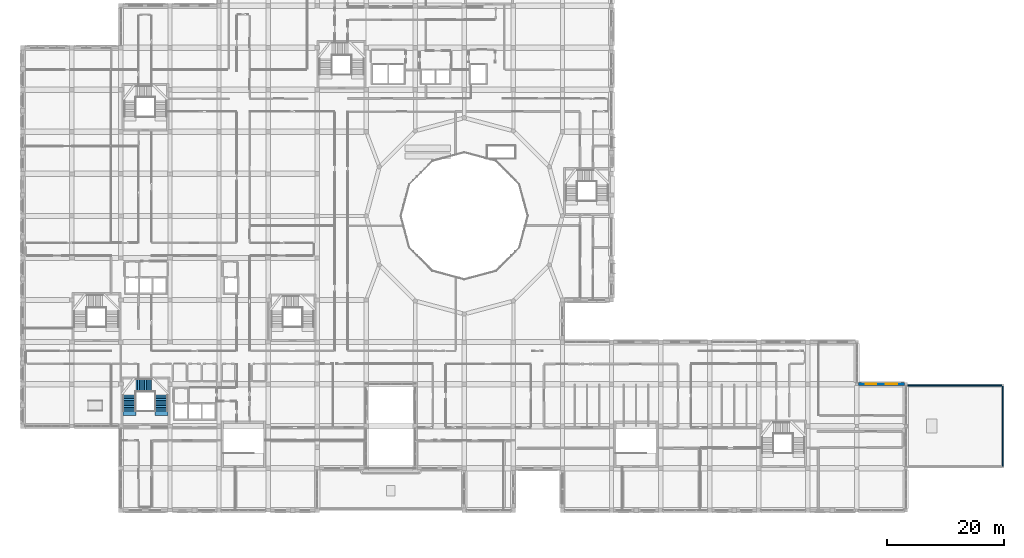
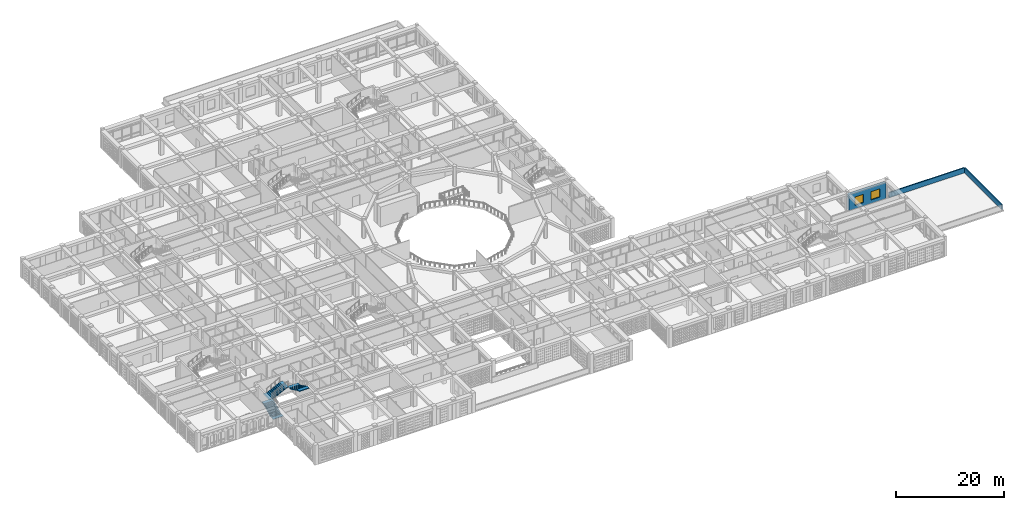
# One storey, part 72 of 111: 3 stair flights, 3 walls, 2 windows, 2 openings, 1 element without a shape of its own.
"""IFC4 building model written with IfcOpenShell, lengths in metres."""

from ifc_helpers import new_model, si_unit, derived_unit, direction, frame, frame_2d, origin, place, context, subcontext, project, spatial, polyline, rectangle, outline, extrude, material, layer, layer_set, type_object, element, fill, aggregate, save


model = new_model("IFC4")

# Units and contexts
model_context = context("Model", 3, precision=1e-05, world=origin(), true_north=direction((0.0, 1.0)))
body_context = subcontext(model_context, "Body", "Model", "MODEL_VIEW")
ifc_project = project(units=[si_unit("LENGTHUNIT", "METRE"), si_unit("AREAUNIT", "SQUARE_METRE"), si_unit("VOLUMEUNIT", "CUBIC_METRE"), si_unit("PLANEANGLEUNIT", "RADIAN"), si_unit("MASSUNIT", "GRAM", prefix="KILO"), derived_unit("THERMALTRANSMITTANCEUNIT", [(si_unit("POWERUNIT", "WATT"), 1), (si_unit("LENGTHUNIT", "METRE"), -2), (si_unit("THERMODYNAMICTEMPERATUREUNIT", "KELVIN"), -1)])], contexts=[model_context])

# Site, building, storey
site_placement = place(None, origin())
site = spatial("IfcSite", under=ifc_project, at=site_placement, CompositionType="ELEMENT")
building_placement = place(site_placement, origin())
building = spatial("IfcBuilding", under=site, at=building_placement, Name="Veybourne Emporium", CompositionType="ELEMENT")
storey_placement = place(building_placement, frame((0.0, 0.0, 9.89990234375)))
storey = spatial("IfcBuildingStorey", under=building, at=storey_placement, Name="L02", CompositionType="ELEMENT", Elevation=9.89990234375)

# Wall, openings, windows
ifc_material_1 = material(Name="Portland Limestone Ashlar", Category="masonry")
ifc_layer_1 = layer(ifc_material_1, 0.47998046875)
ifc_layer_set_1 = layer_set([ifc_layer_1], Name="Portland Limestone Ashlar")
wall_type_1 = type_object("IfcWallType", Name="ExtWall_EW-01", PredefinedType="SOLIDWALL", material=ifc_layer_set_1)
wall_1_placement = place(storey_placement, frame((143.050048828125, 21.60009765625, 0.0), z_axis=(0.0, 0.0, 1.0), x_axis=(1.0, 0.0, 0.0)))
wall_1 = element("IfcWall", 1, at=wall_1_placement, inside=storey, type_object=wall_type_1, Name="L02 Portland stone external wall 076", PredefinedType="SOLIDWALL", context=body_context, shape_type="SweptSolid", body=[
    extrude(rectangle(XDim=7.875, YDim=0.47998046875, at=frame_2d((3.9375, 0.0))), origin(), (0.0, 0.0, 1.0), 3.630126953125),
])
opening_1_placement = place(wall_1_placement, frame((1.304931640625, 0.0, 0.75)))
opening_1 = element("IfcOpeningElement", 2, at=opening_1_placement, cuts=wall_1, Name="Opening W-04", PredefinedType="OPENING", context=body_context, shape_type="SweptSolid", body=[
    extrude(rectangle(XDim=1.800048828125, YDim=1.89990234375, at=frame_2d((0.89990234375, 0.949951171875))), frame((0.0, 0.260009765625, 0.0), z_axis=(0.0, -1.0, 0.0), x_axis=(1.0, 0.0, 0.0)), (0.0, 0.0, 1.0), 0.52001953125),
])
opening_2_placement = place(wall_1_placement, frame((4.669921875, 0.0, 0.75)))
opening_2 = element("IfcOpeningElement", 3, at=opening_2_placement, cuts=wall_1, Name="Opening W-05", PredefinedType="OPENING", context=body_context, shape_type="SweptSolid", body=[
    extrude(rectangle(XDim=2.0, YDim=1.89990234375, at=frame_2d((1.0, 0.949951171875))), frame((0.0, 0.260009765625, 0.0), z_axis=(0.0, -1.0, 0.0), x_axis=(1.0, 0.0, 0.0)), (0.0, 0.0, 1.0), 0.52001953125),
])
ifc_material_2 = material(Name="Low-E Triple Glazing", Category="glass")
window_type_1 = type_object("IfcWindowType", Name="Win_W-04", PartitioningType="DOUBLE_PANEL_VERTICAL", PredefinedType="WINDOW", material=ifc_material_2)
window_1_placement = place(opening_1_placement, origin())
window_1 = element("IfcWindow", 4, at=window_1_placement, inside=storey, type_object=window_type_1, Name="L02 tripartite bronze casement window W-04 (76.1)", OverallHeight=1.89990234375, OverallWidth=1.800048828125, PartitioningType="DOUBLE_PANEL_VERTICAL", PredefinedType="WINDOW", context=body_context, shape_type="SweptSolid", body=[
    extrude(rectangle(XDim=1.800048828125, YDim=1.89990234375, at=frame_2d((0.89990234375, 0.949951171875))), frame((0.0, 0.030029296875, 0.0), z_axis=(0.0, -1.0, 0.0), x_axis=(1.0, 0.0, 0.0)), (0.0, 0.0, 1.0), 0.06005859375),
])
fill(opening_1, window_1)
window_type_2 = type_object("IfcWindowType", Name="Win_W-05", PartitioningType="TRIPLE_PANEL_VERTICAL", PredefinedType="WINDOW", material=ifc_material_2)
window_2_placement = place(opening_2_placement, origin())
window_2 = element("IfcWindow", 5, at=window_2_placement, inside=storey, type_object=window_type_2, Name="L02 tripartite bronze casement window W-05 (76.2)", OverallHeight=1.89990234375, OverallWidth=2.0, PartitioningType="TRIPLE_PANEL_VERTICAL", PredefinedType="WINDOW", context=body_context, shape_type="SweptSolid", body=[
    extrude(rectangle(XDim=2.0, YDim=1.89990234375, at=frame_2d((1.0, 0.949951171875))), frame((0.0, 0.030029296875, 0.0), z_axis=(0.0, -1.0, 0.0), x_axis=(1.0, 0.0, 0.0)), (0.0, 0.0, 1.0), 0.06005859375),
])
fill(opening_2, window_2)

# Walls
ifc_material_3 = material(Name="Precast concrete C40/50", Category="concrete")
ifc_layer_2 = layer(ifc_material_3, 0.239990234375)
ifc_layer_set_2 = layer_set([ifc_layer_2], Name="Precast concrete C40/50")
wall_type_2 = type_object("IfcWallType", Name="ExtWall_PW-02", PredefinedType="PARAPET", material=ifc_layer_set_2)
wall_2_placement = place(storey_placement, frame((151.550048828125, 21.3798828125, 0.0), z_axis=(0.0, 0.0, 1.0), x_axis=(1.0, 0.0, 0.0)))
element("IfcWall", 6, at=wall_2_placement, inside=storey, type_object=wall_type_2, Name="L02 roof parapet wall 006", PredefinedType="PARAPET", context=body_context, shape_type="SweptSolid", body=[
    extrude(rectangle(XDim=16.099853515625, YDim=0.239990234375, at=frame_2d((8.0498046875, 0.0))), origin(), (0.0, 0.0, 1.0), 1.150146484375),
])
wall_3_placement = place(storey_placement, frame((167.780029296875, 21.25, 0.0), z_axis=(0.0, 0.0, 1.0), x_axis=(0.0, -1.0, 0.0)))
element("IfcWall", 7, at=wall_3_placement, inside=storey, type_object=wall_type_2, Name="L02 roof parapet wall 007", PredefinedType="PARAPET", context=body_context, shape_type="SweptSolid", body=[
    extrude(rectangle(XDim=13.699951171875, YDim=0.239990234375, at=frame_2d((6.85009765625, 0.0))), origin(), (0.0, 0.0, 1.0), 1.150146484375),
])

# Stair, stair flights
ifc_material_4 = material(Name="Concrete C32/40", Category="concrete")
stair_type = type_object("IfcStairType", Name="Stair_ST-01-R30", PredefinedType="TWO_QUARTER_TURN_STAIR", material=ifc_material_4)
stair_placement = place(storey_placement, origin())
stair = element("IfcStair", 8, at=stair_placement, inside=storey, type_object=stair_type, Name="L02 stair ST-01", PredefinedType="TWO_QUARTER_TURN_STAIR")
stair_flight_type = type_object("IfcStairFlightType", Name="Flight_FL-2200-R10", PredefinedType="STRAIGHT", material=ifc_material_4)
stair_flight_1_placement = place(storey_placement, frame((18.25, 17.0, 0.0), z_axis=(0.0, 0.0, 1.0), x_axis=(0.0, 1.0, 0.0)))
stair_flight_1 = element("IfcStairFlight", 9, at=stair_flight_1_placement, type_object=stair_flight_type, Name="ST-01-R30 flight 1", NumberOfRisers=10, NumberOfTreads=9, PredefinedType="STRAIGHT", RiserHeight=0.15, TreadLength=0.3, context=body_context, shape_type="SweptSolid", body=[
    extrude(outline(polyline([(-0.75, 0.0), (-0.75, 0.080078125), (-0.375, 0.080078125), (0.0, 0.080078125), (0.0, 0.14990234375), (0.300048828125, 0.14990234375), (0.300048828125, 0.300048828125), (0.60009765625, 0.300048828125), (0.60009765625, 0.449951171875), (0.89990234375, 0.449951171875), (0.89990234375, 0.60009765625), (1.199951171875, 0.60009765625), (1.199951171875, 0.75), (1.5, 0.75), (1.5, 0.89990234375), (1.800048828125, 0.89990234375), (1.800048828125, 1.050048828125), (2.10009765625, 1.050048828125), (2.10009765625, 1.199951171875), (2.39990234375, 1.199951171875), (2.39990234375, 1.35009765625), (2.699951171875, 1.35009765625), (2.699951171875, 1.5), (3.074951171875, 1.5), (3.449951171875, 1.5), (3.449951171875, 1.340087890625), (3.074951171875, 1.340087890625), (2.699951171875, 1.171142578125), (0.357666015625, 0.0), (-0.75, 0.0)])), frame((0.0, 1.10009765625, 0.0), z_axis=(0.0, -1.0, 0.0), x_axis=(1.0, 0.0, 0.0)), (0.0, 0.0, 1.0), 2.199951171875),
])
stair_flight_2_placement = place(storey_placement, frame((19.35009765625, 21.39990234375, 1.5), z_axis=(0.0, 0.0, 1.0), x_axis=(1.0, 0.0, 0.0)))
stair_flight_2 = element("IfcStairFlight", 10, at=stair_flight_2_placement, type_object=stair_flight_type, Name="ST-01-R30 flight 2", NumberOfRisers=10, NumberOfTreads=9, PredefinedType="STRAIGHT", RiserHeight=0.15, TreadLength=0.3, context=body_context, shape_type="SweptSolid", body=[
    extrude(outline(polyline([(-0.75, 0.0), (-0.75, 0.080078125), (-0.375, 0.080078125), (0.0, 0.080078125), (0.0, 0.14990234375), (0.300048828125, 0.14990234375), (0.300048828125, 0.300048828125), (0.60009765625, 0.300048828125), (0.60009765625, 0.449951171875), (0.89990234375, 0.449951171875), (0.89990234375, 0.60009765625), (1.199951171875, 0.60009765625), (1.199951171875, 0.75), (1.5, 0.75), (1.5, 0.89990234375), (1.800048828125, 0.89990234375), (1.800048828125, 1.050048828125), (2.10009765625, 1.050048828125), (2.10009765625, 1.199951171875), (2.39990234375, 1.199951171875), (2.39990234375, 1.35009765625), (2.699951171875, 1.35009765625), (2.699951171875, 1.5), (3.074951171875, 1.5), (3.449951171875, 1.5), (3.449951171875, 1.340087890625), (3.074951171875, 1.340087890625), (2.699951171875, 1.171142578125), (0.357666015625, 0.0), (-0.75, 0.0)])), frame((0.0, 1.10009765625, 0.0), z_axis=(0.0, -1.0, 0.0), x_axis=(1.0, 0.0, 0.0)), (0.0, 0.0, 1.0), 2.199951171875),
])
stair_flight_3_placement = place(storey_placement, frame((23.75, 19.699951171875, 3.0), z_axis=(0.0, 0.0, 1.0), x_axis=(0.0, -1.0, 0.0)))
stair_flight_3 = element("IfcStairFlight", 11, at=stair_flight_3_placement, type_object=stair_flight_type, Name="ST-01-R30 flight 3", NumberOfRisers=10, NumberOfTreads=9, PredefinedType="STRAIGHT", RiserHeight=0.15, TreadLength=0.3, context=body_context, shape_type="SweptSolid", body=[
    extrude(outline(polyline([(-0.75, 0.0), (-0.75, 0.080078125), (-0.375, 0.080078125), (0.0, 0.080078125), (0.0, 0.14990234375), (0.300048828125, 0.14990234375), (0.300048828125, 0.300048828125), (0.60009765625, 0.300048828125), (0.60009765625, 0.449951171875), (0.89990234375, 0.449951171875), (0.89990234375, 0.60009765625), (1.199951171875, 0.60009765625), (1.199951171875, 0.75), (1.5, 0.75), (1.5, 0.89990234375), (1.800048828125, 0.89990234375), (1.800048828125, 1.050048828125), (2.10009765625, 1.050048828125), (2.10009765625, 1.199951171875), (2.39990234375, 1.199951171875), (2.39990234375, 1.35009765625), (2.699951171875, 1.35009765625), (2.699951171875, 1.5), (3.074951171875, 1.5), (3.449951171875, 1.5), (3.449951171875, 1.340087890625), (3.074951171875, 1.340087890625), (2.699951171875, 1.171142578125), (0.357666015625, 0.0), (-0.75, 0.0)])), frame((0.0, 1.10009765625, 0.0), z_axis=(0.0, -1.0, 0.0), x_axis=(1.0, 0.0, 0.0)), (0.0, 0.0, 1.0), 2.199951171875),
])
aggregate(stair, [stair_flight_1, stair_flight_2, stair_flight_3])

save(model, "model.ifc")
